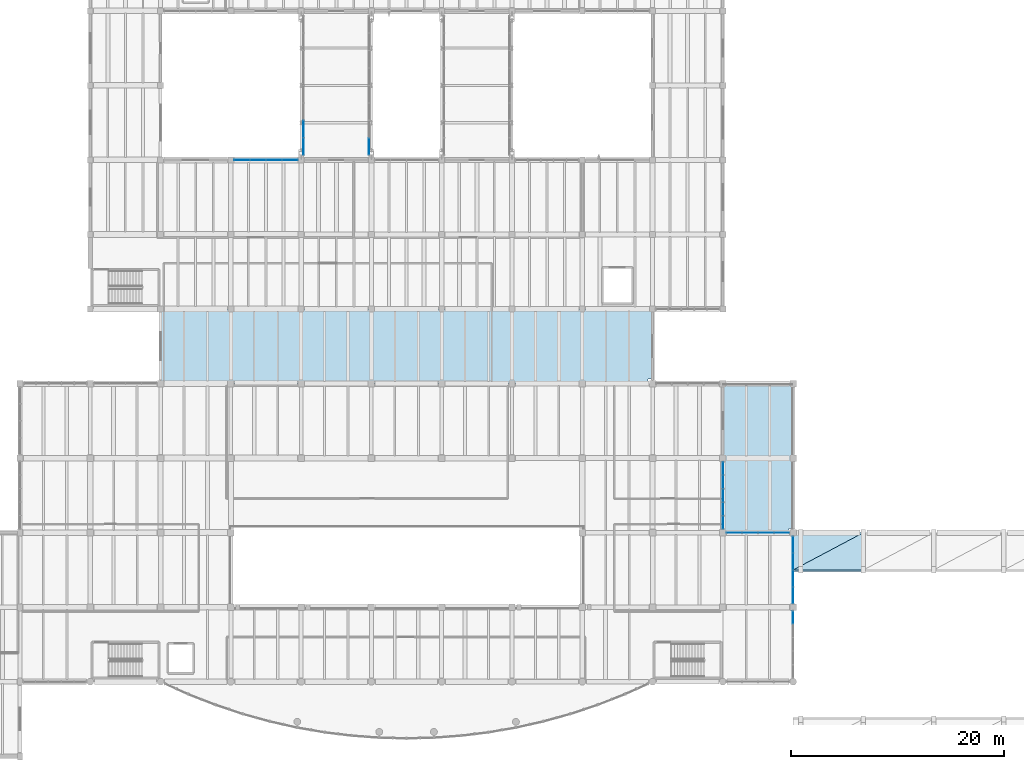
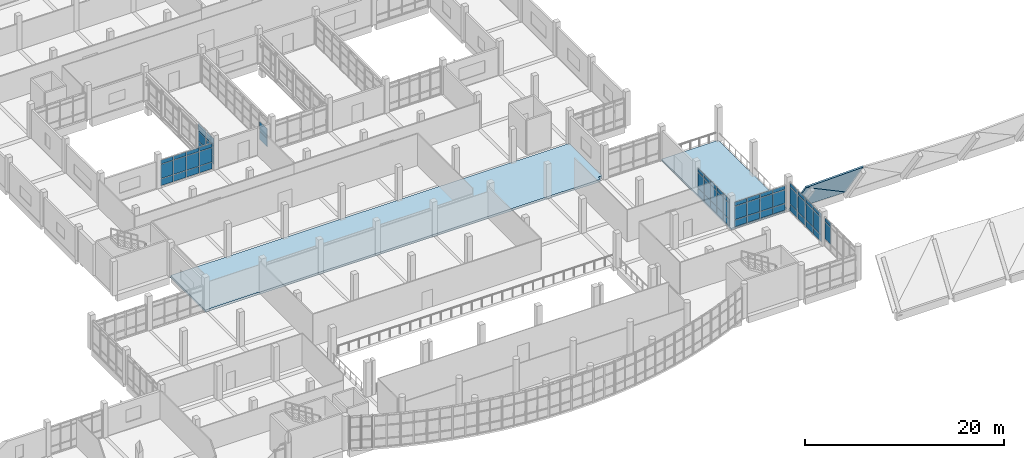
# One storey, part 40 of 67: 61 plates, 4 slabs, 8 elements without a shape of their own.
"""IFC4 building model written with IfcOpenShell, lengths in metres."""

from ifc_helpers import new_model, si_unit, direction, frame, origin, origin_2d, place, context, subcontext, project, spatial, polyline, rectangle, outline, extrude, material, layer, layer_set, type_object, element, aggregate, save


model = new_model("IFC4")

# Units and contexts
model_context = context("Model", 3, precision=1e-05, world=origin(), true_north=direction((0.0, 1.0)))
body_context = subcontext(model_context, "Body", "Model", "MODEL_VIEW")
ifc_project = project(units=[si_unit("LENGTHUNIT", "METRE"), si_unit("AREAUNIT", "SQUARE_METRE"), si_unit("VOLUMEUNIT", "CUBIC_METRE"), si_unit("PLANEANGLEUNIT", "RADIAN"), si_unit("MASSUNIT", "GRAM", prefix="KILO")], contexts=[model_context])

# Site, building, storey
site_placement = place(None, origin())
site = spatial("IfcSite", under=ifc_project, at=site_placement, CompositionType="ELEMENT")
building_placement = place(site_placement, origin())
building = spatial("IfcBuilding", under=site, at=building_placement, Name="Ciguamira Faculty of Natural Sciences", CompositionType="ELEMENT")
storey_placement = place(building_placement, frame((0.0, 0.0, 8.39990234375)))
storey = spatial("IfcBuildingStorey", under=building, at=storey_placement, Name="L02", CompositionType="ELEMENT", Elevation=8.39990234375)

# Curtain wall, plates
ifc_material_1 = material(Name="Anodized aluminium curtain wall", Category="aluminium")
curtain_wall_type_1 = type_object("IfcCurtainWallType", Name="CurtainWall_CW-11", PredefinedType="USERDEFINED", material=ifc_material_1)
curtain_wall_1_placement = place(storey_placement, origin())
curtain_wall_1 = element("IfcCurtainWall", 1, at=curtain_wall_1_placement, inside=storey, type_object=curtain_wall_type_1, Name="L02 unitised curtain wall 0059", ObjectType="UNITISED CURTAIN WALL", PredefinedType="USERDEFINED")
ifc_material_2 = material(Name="Low-E laminated solar glass", Category="glass")
ifc_layer_1 = layer(ifc_material_2, 0.028076171875, Name="Low-E laminated solar glass")
ifc_layer_set_1 = layer_set([ifc_layer_1], Name="Low-E laminated solar glass")
plate_type_1 = type_object("IfcPlateType", Name="CWPanel_CWP-01", PredefinedType="CURTAIN_PANEL", material=ifc_layer_set_1)
plate_1_placement = place(storey_placement, frame((117.767578125, 24.0, 0.070068359375), z_axis=(0.0, 0.0, 1.0), x_axis=(1.0, 0.0, 0.0)))
plate_1 = element("IfcPlate", 2, at=plate_1_placement, type_object=plate_type_1, Name="CW-11 panel 1.1", PredefinedType="CURTAIN_PANEL", context=body_context, shape_type="SweptSolid", body=[
    extrude(rectangle(XDim=1.39501953125, YDim=0.028076171875, at=origin_2d()), origin(), (0.0, 0.0, 1.0), 0.794921875),
])
plate_2_placement = place(storey_placement, frame((117.767578125, 24.0, 0.93505859375), z_axis=(0.0, 0.0, 1.0), x_axis=(1.0, 0.0, 0.0)))
plate_2 = element("IfcPlate", 3, at=plate_2_placement, type_object=plate_type_1, Name="CW-11 panel 1.2", PredefinedType="CURTAIN_PANEL", context=body_context, shape_type="SweptSolid", body=[
    extrude(rectangle(XDim=1.39501953125, YDim=0.028076171875, at=origin_2d()), origin(), (0.0, 0.0, 1.0), 1.614990234375),
])
plate_3_placement = place(storey_placement, frame((117.767578125, 24.0, 2.6201171875), z_axis=(0.0, 0.0, 1.0), x_axis=(1.0, 0.0, 0.0)))
plate_3 = element("IfcPlate", 4, at=plate_3_placement, type_object=plate_type_1, Name="CW-11 panel 1.3", PredefinedType="CURTAIN_PANEL", context=body_context, shape_type="SweptSolid", body=[
    extrude(rectangle(XDim=1.39501953125, YDim=0.028076171875, at=origin_2d()), origin(), (0.0, 0.0, 1.0), 0.445068359375),
])
plate_4_placement = place(storey_placement, frame((119.25, 24.0, 0.070068359375), z_axis=(0.0, 0.0, 1.0), x_axis=(1.0, 0.0, 0.0)))
plate_4 = element("IfcPlate", 5, at=plate_4_placement, type_object=plate_type_1, Name="CW-11 panel 2.1", PredefinedType="CURTAIN_PANEL", context=body_context, shape_type="SweptSolid", body=[
    extrude(rectangle(XDim=1.429931640625, YDim=0.028076171875, at=origin_2d()), origin(), (0.0, 0.0, 1.0), 0.794921875),
])
plate_5_placement = place(storey_placement, frame((119.25, 24.0, 0.93505859375), z_axis=(0.0, 0.0, 1.0), x_axis=(1.0, 0.0, 0.0)))
plate_5 = element("IfcPlate", 6, at=plate_5_placement, type_object=plate_type_1, Name="CW-11 panel 2.2", PredefinedType="CURTAIN_PANEL", context=body_context, shape_type="SweptSolid", body=[
    extrude(rectangle(XDim=1.429931640625, YDim=0.028076171875, at=origin_2d()), origin(), (0.0, 0.0, 1.0), 1.614990234375),
])
plate_6_placement = place(storey_placement, frame((119.25, 24.0, 2.6201171875), z_axis=(0.0, 0.0, 1.0), x_axis=(1.0, 0.0, 0.0)))
plate_6 = element("IfcPlate", 7, at=plate_6_placement, type_object=plate_type_1, Name="CW-11 panel 2.3", PredefinedType="CURTAIN_PANEL", context=body_context, shape_type="SweptSolid", body=[
    extrude(rectangle(XDim=1.429931640625, YDim=0.028076171875, at=origin_2d()), origin(), (0.0, 0.0, 1.0), 0.445068359375),
])
plate_7_placement = place(storey_placement, frame((120.75, 24.0, 0.070068359375), z_axis=(0.0, 0.0, 1.0), x_axis=(1.0, 0.0, 0.0)))
plate_7 = element("IfcPlate", 8, at=plate_7_placement, type_object=plate_type_1, Name="CW-11 panel 3.1", PredefinedType="CURTAIN_PANEL", context=body_context, shape_type="SweptSolid", body=[
    extrude(rectangle(XDim=1.429931640625, YDim=0.028076171875, at=origin_2d()), origin(), (0.0, 0.0, 1.0), 0.794921875),
])
plate_8_placement = place(storey_placement, frame((120.75, 24.0, 0.93505859375), z_axis=(0.0, 0.0, 1.0), x_axis=(1.0, 0.0, 0.0)))
plate_8 = element("IfcPlate", 9, at=plate_8_placement, type_object=plate_type_1, Name="CW-11 panel 3.2", PredefinedType="CURTAIN_PANEL", context=body_context, shape_type="SweptSolid", body=[
    extrude(rectangle(XDim=1.429931640625, YDim=0.028076171875, at=origin_2d()), origin(), (0.0, 0.0, 1.0), 1.614990234375),
])
plate_9_placement = place(storey_placement, frame((120.75, 24.0, 2.6201171875), z_axis=(0.0, 0.0, 1.0), x_axis=(1.0, 0.0, 0.0)))
plate_9 = element("IfcPlate", 10, at=plate_9_placement, type_object=plate_type_1, Name="CW-11 panel 3.3", PredefinedType="CURTAIN_PANEL", context=body_context, shape_type="SweptSolid", body=[
    extrude(rectangle(XDim=1.429931640625, YDim=0.028076171875, at=origin_2d()), origin(), (0.0, 0.0, 1.0), 0.445068359375),
])
plate_10_placement = place(storey_placement, frame((122.232421875, 24.0, 0.070068359375), z_axis=(0.0, 0.0, 1.0), x_axis=(1.0, 0.0, 0.0)))
plate_10 = element("IfcPlate", 11, at=plate_10_placement, type_object=plate_type_1, Name="CW-11 panel 4.1", PredefinedType="CURTAIN_PANEL", context=body_context, shape_type="SweptSolid", body=[
    extrude(rectangle(XDim=1.39501953125, YDim=0.028076171875, at=origin_2d()), origin(), (0.0, 0.0, 1.0), 0.794921875),
])
plate_11_placement = place(storey_placement, frame((122.232421875, 24.0, 0.93505859375), z_axis=(0.0, 0.0, 1.0), x_axis=(1.0, 0.0, 0.0)))
plate_11 = element("IfcPlate", 12, at=plate_11_placement, type_object=plate_type_1, Name="CW-11 panel 4.2", PredefinedType="CURTAIN_PANEL", context=body_context, shape_type="SweptSolid", body=[
    extrude(rectangle(XDim=1.39501953125, YDim=0.028076171875, at=origin_2d()), origin(), (0.0, 0.0, 1.0), 1.614990234375),
])
plate_12_placement = place(storey_placement, frame((122.232421875, 24.0, 2.6201171875), z_axis=(0.0, 0.0, 1.0), x_axis=(1.0, 0.0, 0.0)))
plate_12 = element("IfcPlate", 13, at=plate_12_placement, type_object=plate_type_1, Name="CW-11 panel 4.3", PredefinedType="CURTAIN_PANEL", context=body_context, shape_type="SweptSolid", body=[
    extrude(rectangle(XDim=1.39501953125, YDim=0.028076171875, at=origin_2d()), origin(), (0.0, 0.0, 1.0), 0.445068359375),
])
aggregate(curtain_wall_1, [plate_1, plate_2, plate_3, plate_4, plate_5, plate_6, plate_7, plate_8, plate_9, plate_10, plate_11, plate_12])

curtain_wall_type_2 = type_object("IfcCurtainWallType", Name="CurtainWall_CW-07", PredefinedType="USERDEFINED", material=ifc_material_1)
curtain_wall_2_placement = place(storey_placement, origin())
curtain_wall_2 = element("IfcCurtainWall", 14, at=curtain_wall_2_placement, inside=storey, type_object=curtain_wall_type_2, Name="L02 unitised curtain wall 0079", ObjectType="UNITISED CURTAIN WALL", PredefinedType="USERDEFINED")
plate_13_placement = place(storey_placement, frame((123.300048828125, 16.047607421875, 0.93017578125), z_axis=(0.0, 0.0, 1.0), x_axis=(0.0, 1.0, 0.0)))
plate_13 = element("IfcPlate", 15, at=plate_13_placement, type_object=plate_type_1, Name="CW-07 panel 5.2", PredefinedType="CURTAIN_PANEL", context=body_context, shape_type="SweptSolid", body=[
    extrude(rectangle(XDim=1.18505859375, YDim=0.028076171875, at=origin_2d()), origin(), (0.0, 0.0, 1.0), 2.054931640625),
])
plate_14_placement = place(storey_placement, frame((123.300048828125, 16.047607421875, 3.045166015625), z_axis=(0.0, 0.0, 1.0), x_axis=(0.0, 1.0, 0.0)))
plate_14 = element("IfcPlate", 16, at=plate_14_placement, type_object=plate_type_1, Name="CW-07 panel 5.3", PredefinedType="CURTAIN_PANEL", context=body_context, shape_type="SweptSolid", body=[
    extrude(rectangle(XDim=1.18505859375, YDim=0.028076171875, at=origin_2d()), origin(), (0.0, 0.0, 1.0), 0.4599609375),
])
aggregate(curtain_wall_2, [plate_13, plate_14])

curtain_wall_type_3 = type_object("IfcCurtainWallType", Name="CurtainWall_CW-06", PredefinedType="USERDEFINED", material=ifc_material_1)
curtain_wall_3_placement = place(storey_placement, origin())
curtain_wall_3 = element("IfcCurtainWall", 17, at=curtain_wall_3_placement, inside=storey, type_object=curtain_wall_type_3, Name="Link bridge BR-1 glazed curtain wall W", ObjectType="UNITISED CURTAIN WALL", PredefinedType="USERDEFINED")
plate_15_placement = place(storey_placement, frame((77.320068359375, 60.28369140625, 0.06005859375), z_axis=(0.0, 0.0, 1.0), x_axis=(0.0, 1.0, 0.0)))
plate_15 = element("IfcPlate", 18, at=plate_15_placement, type_object=plate_type_1, Name="CW-06 panel 1.1", PredefinedType="CURTAIN_PANEL", context=body_context, shape_type="SweptSolid", body=[
    extrude(rectangle(XDim=1.547607421875, YDim=0.028076171875, at=origin_2d()), origin(), (0.0, 0.0, 1.0), 1.010009765625),
])
plate_16_placement = place(storey_placement, frame((77.320068359375, 60.28369140625, 1.13037109375), z_axis=(0.0, 0.0, 1.0), x_axis=(0.0, 1.0, 0.0)))
plate_16 = element("IfcPlate", 19, at=plate_16_placement, type_object=plate_type_1, Name="CW-06 panel 1.2", PredefinedType="CURTAIN_PANEL", context=body_context, shape_type="SweptSolid", body=[
    extrude(rectangle(XDim=1.547607421875, YDim=0.028076171875, at=origin_2d()), origin(), (0.0, 0.0, 1.0), 1.139892578125),
])
plate_17_placement = place(storey_placement, frame((77.320068359375, 60.28369140625, 2.330078125), z_axis=(0.0, 0.0, 1.0), x_axis=(0.0, 1.0, 0.0)))
plate_17 = element("IfcPlate", 20, at=plate_17_placement, type_object=plate_type_1, Name="CW-06 panel 1.3", PredefinedType="CURTAIN_PANEL", context=body_context, shape_type="SweptSolid", body=[
    extrude(rectangle(XDim=1.547607421875, YDim=0.028076171875, at=origin_2d()), origin(), (0.0, 0.0, 1.0), 0.860107421875),
])
plate_18_placement = place(storey_placement, frame((77.320068359375, 61.90625, 0.06005859375), z_axis=(0.0, 0.0, 1.0), x_axis=(0.0, 1.0, 0.0)))
plate_18 = element("IfcPlate", 21, at=plate_18_placement, type_object=plate_type_1, Name="CW-06 panel 2.1", PredefinedType="CURTAIN_PANEL", context=body_context, shape_type="SweptSolid", body=[
    extrude(rectangle(XDim=1.577392578125, YDim=0.028076171875, at=origin_2d()), origin(), (0.0, 0.0, 1.0), 1.010009765625),
])
plate_19_placement = place(storey_placement, frame((77.320068359375, 61.90625, 1.13037109375), z_axis=(0.0, 0.0, 1.0), x_axis=(0.0, 1.0, 0.0)))
plate_19 = element("IfcPlate", 22, at=plate_19_placement, type_object=plate_type_1, Name="CW-06 panel 2.2", PredefinedType="CURTAIN_PANEL", context=body_context, shape_type="SweptSolid", body=[
    extrude(rectangle(XDim=1.577392578125, YDim=0.028076171875, at=origin_2d()), origin(), (0.0, 0.0, 1.0), 1.139892578125),
])
plate_20_placement = place(storey_placement, frame((77.320068359375, 61.90625, 2.330078125), z_axis=(0.0, 0.0, 1.0), x_axis=(0.0, 1.0, 0.0)))
plate_20 = element("IfcPlate", 23, at=plate_20_placement, type_object=plate_type_1, Name="CW-06 panel 2.3", PredefinedType="CURTAIN_PANEL", context=body_context, shape_type="SweptSolid", body=[
    extrude(rectangle(XDim=1.577392578125, YDim=0.028076171875, at=origin_2d()), origin(), (0.0, 0.0, 1.0), 0.860107421875),
])
aggregate(curtain_wall_3, [plate_15, plate_16, plate_17, plate_18, plate_19, plate_20])

curtain_wall_4_placement = place(storey_placement, origin())
curtain_wall_4 = element("IfcCurtainWall", 24, at=curtain_wall_4_placement, inside=storey, type_object=curtain_wall_type_2, Name="Link bridge BR-1 glazed curtain wall E", ObjectType="UNITISED CURTAIN WALL", PredefinedType="USERDEFINED")
plate_21_placement = place(storey_placement, frame((83.47998046875, 60.28369140625, 0.06005859375), z_axis=(0.0, 0.0, 1.0), x_axis=(0.0, 1.0, 0.0)))
plate_21 = element("IfcPlate", 25, at=plate_21_placement, type_object=plate_type_1, Name="CW-07 panel 1.1", PredefinedType="CURTAIN_PANEL", context=body_context, shape_type="SweptSolid", body=[
    extrude(rectangle(XDim=1.547607421875, YDim=0.028076171875, at=origin_2d()), origin(), (0.0, 0.0, 1.0), 1.010009765625),
])
plate_22_placement = place(storey_placement, frame((83.47998046875, 60.28369140625, 1.13037109375), z_axis=(0.0, 0.0, 1.0), x_axis=(0.0, 1.0, 0.0)))
plate_22 = element("IfcPlate", 26, at=plate_22_placement, type_object=plate_type_1, Name="CW-07 panel 1.2", PredefinedType="CURTAIN_PANEL", context=body_context, shape_type="SweptSolid", body=[
    extrude(rectangle(XDim=1.547607421875, YDim=0.028076171875, at=origin_2d()), origin(), (0.0, 0.0, 1.0), 1.139892578125),
])
aggregate(curtain_wall_4, [plate_21, plate_22])

curtain_wall_type_4 = type_object("IfcCurtainWallType", Name="CurtainWall_CW-04", PredefinedType="USERDEFINED", material=ifc_material_1)
curtain_wall_5_placement = place(storey_placement, origin())
curtain_wall_5 = element("IfcCurtainWall", 27, at=curtain_wall_5_placement, inside=storey, type_object=curtain_wall_type_4, Name="L02 unitised curtain wall 0064", ObjectType="UNITISED CURTAIN WALL", PredefinedType="USERDEFINED")
ifc_layer_2 = layer(ifc_material_2, 0.035888671875, Name="Low-E laminated solar glass")
ifc_layer_set_2 = layer_set([ifc_layer_2], Name="Low-E laminated solar glass")
plate_type_2 = type_object("IfcPlateType", Name="CWPanel_CWP-02", PredefinedType="CURTAIN_PANEL", material=ifc_layer_set_2)
plate_23_placement = place(storey_placement, frame((71.546142578125, 59.0, 0.06005859375), z_axis=(0.0, 0.0, 1.0), x_axis=(1.0, 0.0, 0.0)))
plate_23 = element("IfcPlate", 28, at=plate_23_placement, type_object=plate_type_2, Name="CW-04 panel 1.1", PredefinedType="CURTAIN_PANEL", context=body_context, shape_type="SweptSolid", body=[
    extrude(rectangle(XDim=1.422607421875, YDim=0.035888671875, at=origin_2d()), origin(), (0.0, 0.0, 1.0), 0.81005859375),
])
plate_24_placement = place(storey_placement, frame((71.546142578125, 59.0, 0.929931640625), z_axis=(0.0, 0.0, 1.0), x_axis=(1.0, 0.0, 0.0)))
plate_24 = element("IfcPlate", 29, at=plate_24_placement, type_object=plate_type_2, Name="CW-04 panel 1.2", PredefinedType="CURTAIN_PANEL", context=body_context, shape_type="SweptSolid", body=[
    extrude(rectangle(XDim=1.422607421875, YDim=0.035888671875, at=origin_2d()), origin(), (0.0, 0.0, 1.0), 1.72509765625),
])
plate_25_placement = place(storey_placement, frame((71.546142578125, 59.0, 2.715087890625), z_axis=(0.0, 0.0, 1.0), x_axis=(1.0, 0.0, 0.0)))
plate_25 = element("IfcPlate", 30, at=plate_25_placement, type_object=plate_type_2, Name="CW-04 panel 1.3", PredefinedType="CURTAIN_PANEL", context=body_context, shape_type="SweptSolid", body=[
    extrude(rectangle(XDim=1.422607421875, YDim=0.035888671875, at=origin_2d()), origin(), (0.0, 0.0, 1.0), 0.4599609375),
])
plate_26_placement = place(storey_placement, frame((73.043701171875, 59.0, 0.06005859375), z_axis=(0.0, 0.0, 1.0), x_axis=(1.0, 0.0, 0.0)))
plate_26 = element("IfcPlate", 31, at=plate_26_placement, type_object=plate_type_2, Name="CW-04 panel 2.1", PredefinedType="CURTAIN_PANEL", context=body_context, shape_type="SweptSolid", body=[
    extrude(rectangle(XDim=1.452392578125, YDim=0.035888671875, at=origin_2d()), origin(), (0.0, 0.0, 1.0), 0.81005859375),
])
plate_27_placement = place(storey_placement, frame((73.043701171875, 59.0, 0.929931640625), z_axis=(0.0, 0.0, 1.0), x_axis=(1.0, 0.0, 0.0)))
plate_27 = element("IfcPlate", 32, at=plate_27_placement, type_object=plate_type_2, Name="CW-04 panel 2.2", PredefinedType="CURTAIN_PANEL", context=body_context, shape_type="SweptSolid", body=[
    extrude(rectangle(XDim=1.452392578125, YDim=0.035888671875, at=origin_2d()), origin(), (0.0, 0.0, 1.0), 1.72509765625),
])
plate_28_placement = place(storey_placement, frame((73.043701171875, 59.0, 2.715087890625), z_axis=(0.0, 0.0, 1.0), x_axis=(1.0, 0.0, 0.0)))
plate_28 = element("IfcPlate", 33, at=plate_28_placement, type_object=plate_type_2, Name="CW-04 panel 2.3", PredefinedType="CURTAIN_PANEL", context=body_context, shape_type="SweptSolid", body=[
    extrude(rectangle(XDim=1.452392578125, YDim=0.035888671875, at=origin_2d()), origin(), (0.0, 0.0, 1.0), 0.4599609375),
])
plate_29_placement = place(storey_placement, frame((74.55615234375, 59.0, 0.06005859375), z_axis=(0.0, 0.0, 1.0), x_axis=(1.0, 0.0, 0.0)))
plate_29 = element("IfcPlate", 34, at=plate_29_placement, type_object=plate_type_2, Name="CW-04 panel 3.1", PredefinedType="CURTAIN_PANEL", context=body_context, shape_type="SweptSolid", body=[
    extrude(rectangle(XDim=1.452392578125, YDim=0.035888671875, at=origin_2d()), origin(), (0.0, 0.0, 1.0), 0.81005859375),
])
plate_30_placement = place(storey_placement, frame((74.55615234375, 59.0, 0.929931640625), z_axis=(0.0, 0.0, 1.0), x_axis=(1.0, 0.0, 0.0)))
plate_30 = element("IfcPlate", 35, at=plate_30_placement, type_object=plate_type_2, Name="CW-04 panel 3.2", PredefinedType="CURTAIN_PANEL", context=body_context, shape_type="SweptSolid", body=[
    extrude(rectangle(XDim=1.452392578125, YDim=0.035888671875, at=origin_2d()), origin(), (0.0, 0.0, 1.0), 1.72509765625),
])
plate_31_placement = place(storey_placement, frame((74.55615234375, 59.0, 2.715087890625), z_axis=(0.0, 0.0, 1.0), x_axis=(1.0, 0.0, 0.0)))
plate_31 = element("IfcPlate", 36, at=plate_31_placement, type_object=plate_type_2, Name="CW-04 panel 3.3", PredefinedType="CURTAIN_PANEL", context=body_context, shape_type="SweptSolid", body=[
    extrude(rectangle(XDim=1.452392578125, YDim=0.035888671875, at=origin_2d()), origin(), (0.0, 0.0, 1.0), 0.4599609375),
])
plate_32_placement = place(storey_placement, frame((76.0537109375, 59.0, 0.06005859375), z_axis=(0.0, 0.0, 1.0), x_axis=(1.0, 0.0, 0.0)))
plate_32 = element("IfcPlate", 37, at=plate_32_placement, type_object=plate_type_2, Name="CW-04 panel 4.1", PredefinedType="CURTAIN_PANEL", context=body_context, shape_type="SweptSolid", body=[
    extrude(rectangle(XDim=1.422607421875, YDim=0.035888671875, at=origin_2d()), origin(), (0.0, 0.0, 1.0), 0.81005859375),
])
plate_33_placement = place(storey_placement, frame((76.0537109375, 59.0, 0.929931640625), z_axis=(0.0, 0.0, 1.0), x_axis=(1.0, 0.0, 0.0)))
plate_33 = element("IfcPlate", 38, at=plate_33_placement, type_object=plate_type_2, Name="CW-04 panel 4.2", PredefinedType="CURTAIN_PANEL", context=body_context, shape_type="SweptSolid", body=[
    extrude(rectangle(XDim=1.422607421875, YDim=0.035888671875, at=origin_2d()), origin(), (0.0, 0.0, 1.0), 1.72509765625),
])
plate_34_placement = place(storey_placement, frame((76.0537109375, 59.0, 2.715087890625), z_axis=(0.0, 0.0, 1.0), x_axis=(1.0, 0.0, 0.0)))
plate_34 = element("IfcPlate", 39, at=plate_34_placement, type_object=plate_type_2, Name="CW-04 panel 4.3", PredefinedType="CURTAIN_PANEL", context=body_context, shape_type="SweptSolid", body=[
    extrude(rectangle(XDim=1.422607421875, YDim=0.035888671875, at=origin_2d()), origin(), (0.0, 0.0, 1.0), 0.4599609375),
])
aggregate(curtain_wall_5, [plate_23, plate_24, plate_25, plate_26, plate_27, plate_28, plate_29, plate_30, plate_31, plate_32, plate_33, plate_34])

curtain_wall_6_placement = place(storey_placement, origin())
curtain_wall_6 = element("IfcCurtainWall", 40, at=curtain_wall_6_placement, inside=storey, type_object=curtain_wall_type_3, Name="L02 unitised curtain wall 0078", ObjectType="UNITISED CURTAIN WALL", PredefinedType="USERDEFINED")
plate_35_placement = place(storey_placement, frame((116.699951171875, 24.9599609375, 0.080078125), z_axis=(0.0, 0.0, 1.0), x_axis=(0.0, 1.0, 0.0)))
plate_35 = element("IfcPlate", 41, at=plate_35_placement, type_object=plate_type_2, Name="CW-06 panel 1.1", PredefinedType="CURTAIN_PANEL", context=body_context, shape_type="SweptSolid", body=[
    extrude(rectangle(XDim=1.159912109375, YDim=0.035888671875, at=origin_2d()), origin(), (0.0, 0.0, 1.0), 0.780029296875),
])
plate_36_placement = place(storey_placement, frame((116.699951171875, 24.9599609375, 0.940185546875), z_axis=(0.0, 0.0, 1.0), x_axis=(0.0, 1.0, 0.0)))
plate_36 = element("IfcPlate", 42, at=plate_36_placement, type_object=plate_type_2, Name="CW-06 panel 1.2", PredefinedType="CURTAIN_PANEL", context=body_context, shape_type="SweptSolid", body=[
    extrude(rectangle(XDim=1.159912109375, YDim=0.035888671875, at=origin_2d()), origin(), (0.0, 0.0, 1.0), 1.875),
])
plate_37_placement = place(storey_placement, frame((116.699951171875, 24.9599609375, 2.89501953125), z_axis=(0.0, 0.0, 1.0), x_axis=(0.0, 1.0, 0.0)))
plate_37 = element("IfcPlate", 43, at=plate_37_placement, type_object=plate_type_2, Name="CW-06 panel 1.3", PredefinedType="CURTAIN_PANEL", context=body_context, shape_type="SweptSolid", body=[
    extrude(rectangle(XDim=1.159912109375, YDim=0.035888671875, at=origin_2d()), origin(), (0.0, 0.0, 1.0), 0.429931640625),
])
plate_38_placement = place(storey_placement, frame((116.699951171875, 26.219970703125, 0.080078125), z_axis=(0.0, 0.0, 1.0), x_axis=(0.0, 1.0, 0.0)))
plate_38 = element("IfcPlate", 44, at=plate_38_placement, type_object=plate_type_2, Name="CW-06 panel 2.1", PredefinedType="CURTAIN_PANEL", context=body_context, shape_type="SweptSolid", body=[
    extrude(rectangle(XDim=1.199951171875, YDim=0.035888671875, at=origin_2d()), origin(), (0.0, 0.0, 1.0), 0.780029296875),
])
plate_39_placement = place(storey_placement, frame((116.699951171875, 26.219970703125, 0.940185546875), z_axis=(0.0, 0.0, 1.0), x_axis=(0.0, 1.0, 0.0)))
plate_39 = element("IfcPlate", 45, at=plate_39_placement, type_object=plate_type_2, Name="CW-06 panel 2.2", PredefinedType="CURTAIN_PANEL", context=body_context, shape_type="SweptSolid", body=[
    extrude(rectangle(XDim=1.199951171875, YDim=0.035888671875, at=origin_2d()), origin(), (0.0, 0.0, 1.0), 1.875),
])
plate_40_placement = place(storey_placement, frame((116.699951171875, 26.219970703125, 2.89501953125), z_axis=(0.0, 0.0, 1.0), x_axis=(0.0, 1.0, 0.0)))
plate_40 = element("IfcPlate", 46, at=plate_40_placement, type_object=plate_type_2, Name="CW-06 panel 2.3", PredefinedType="CURTAIN_PANEL", context=body_context, shape_type="SweptSolid", body=[
    extrude(rectangle(XDim=1.199951171875, YDim=0.035888671875, at=origin_2d()), origin(), (0.0, 0.0, 1.0), 0.429931640625),
])
plate_41_placement = place(storey_placement, frame((116.699951171875, 27.5, 0.080078125), z_axis=(0.0, 0.0, 1.0), x_axis=(0.0, 1.0, 0.0)))
plate_41 = element("IfcPlate", 47, at=plate_41_placement, type_object=plate_type_2, Name="CW-06 panel 3.1", PredefinedType="CURTAIN_PANEL", context=body_context, shape_type="SweptSolid", body=[
    extrude(rectangle(XDim=1.199951171875, YDim=0.035888671875, at=origin_2d()), origin(), (0.0, 0.0, 1.0), 0.780029296875),
])
plate_42_placement = place(storey_placement, frame((116.699951171875, 27.5, 0.940185546875), z_axis=(0.0, 0.0, 1.0), x_axis=(0.0, 1.0, 0.0)))
plate_42 = element("IfcPlate", 48, at=plate_42_placement, type_object=plate_type_2, Name="CW-06 panel 3.2", PredefinedType="CURTAIN_PANEL", context=body_context, shape_type="SweptSolid", body=[
    extrude(rectangle(XDim=1.199951171875, YDim=0.035888671875, at=origin_2d()), origin(), (0.0, 0.0, 1.0), 1.875),
])
plate_43_placement = place(storey_placement, frame((116.699951171875, 27.5, 2.89501953125), z_axis=(0.0, 0.0, 1.0), x_axis=(0.0, 1.0, 0.0)))
plate_43 = element("IfcPlate", 49, at=plate_43_placement, type_object=plate_type_2, Name="CW-06 panel 3.3", PredefinedType="CURTAIN_PANEL", context=body_context, shape_type="SweptSolid", body=[
    extrude(rectangle(XDim=1.199951171875, YDim=0.035888671875, at=origin_2d()), origin(), (0.0, 0.0, 1.0), 0.429931640625),
])
plate_44_placement = place(storey_placement, frame((116.699951171875, 28.780029296875, 0.080078125), z_axis=(0.0, 0.0, 1.0), x_axis=(0.0, 1.0, 0.0)))
plate_44 = element("IfcPlate", 50, at=plate_44_placement, type_object=plate_type_2, Name="CW-06 panel 4.1", PredefinedType="CURTAIN_PANEL", context=body_context, shape_type="SweptSolid", body=[
    extrude(rectangle(XDim=1.199951171875, YDim=0.035888671875, at=origin_2d()), origin(), (0.0, 0.0, 1.0), 0.780029296875),
])
plate_45_placement = place(storey_placement, frame((116.699951171875, 28.780029296875, 0.940185546875), z_axis=(0.0, 0.0, 1.0), x_axis=(0.0, 1.0, 0.0)))
plate_45 = element("IfcPlate", 51, at=plate_45_placement, type_object=plate_type_2, Name="CW-06 panel 4.2", PredefinedType="CURTAIN_PANEL", context=body_context, shape_type="SweptSolid", body=[
    extrude(rectangle(XDim=1.199951171875, YDim=0.035888671875, at=origin_2d()), origin(), (0.0, 0.0, 1.0), 1.875),
])
plate_46_placement = place(storey_placement, frame((116.699951171875, 28.780029296875, 2.89501953125), z_axis=(0.0, 0.0, 1.0), x_axis=(0.0, 1.0, 0.0)))
plate_46 = element("IfcPlate", 52, at=plate_46_placement, type_object=plate_type_2, Name="CW-06 panel 4.3", PredefinedType="CURTAIN_PANEL", context=body_context, shape_type="SweptSolid", body=[
    extrude(rectangle(XDim=1.199951171875, YDim=0.035888671875, at=origin_2d()), origin(), (0.0, 0.0, 1.0), 0.429931640625),
])
plate_47_placement = place(storey_placement, frame((116.699951171875, 30.0400390625, 0.080078125), z_axis=(0.0, 0.0, 1.0), x_axis=(0.0, 1.0, 0.0)))
plate_47 = element("IfcPlate", 53, at=plate_47_placement, type_object=plate_type_2, Name="CW-06 panel 5.1", PredefinedType="CURTAIN_PANEL", context=body_context, shape_type="SweptSolid", body=[
    extrude(rectangle(XDim=1.159912109375, YDim=0.035888671875, at=origin_2d()), origin(), (0.0, 0.0, 1.0), 0.780029296875),
])
plate_48_placement = place(storey_placement, frame((116.699951171875, 30.0400390625, 0.940185546875), z_axis=(0.0, 0.0, 1.0), x_axis=(0.0, 1.0, 0.0)))
plate_48 = element("IfcPlate", 54, at=plate_48_placement, type_object=plate_type_2, Name="CW-06 panel 5.2", PredefinedType="CURTAIN_PANEL", context=body_context, shape_type="SweptSolid", body=[
    extrude(rectangle(XDim=1.159912109375, YDim=0.035888671875, at=origin_2d()), origin(), (0.0, 0.0, 1.0), 1.875),
])
plate_49_placement = place(storey_placement, frame((116.699951171875, 30.0400390625, 2.89501953125), z_axis=(0.0, 0.0, 1.0), x_axis=(0.0, 1.0, 0.0)))
plate_49 = element("IfcPlate", 55, at=plate_49_placement, type_object=plate_type_2, Name="CW-06 panel 5.3", PredefinedType="CURTAIN_PANEL", context=body_context, shape_type="SweptSolid", body=[
    extrude(rectangle(XDim=1.159912109375, YDim=0.035888671875, at=origin_2d()), origin(), (0.0, 0.0, 1.0), 0.429931640625),
])
aggregate(curtain_wall_6, [plate_35, plate_36, plate_37, plate_38, plate_39, plate_40, plate_41, plate_42, plate_43, plate_44, plate_45, plate_46, plate_47, plate_48, plate_49])

curtain_wall_type_5 = type_object("IfcCurtainWallType", Name="CurtainWall_CW-08", PredefinedType="USERDEFINED", material=ifc_material_1)
curtain_wall_7_placement = place(storey_placement, origin())
curtain_wall_7 = element("IfcCurtainWall", 56, at=curtain_wall_7_placement, inside=storey, type_object=curtain_wall_type_5, Name="L02 unitised curtain wall 0080", ObjectType="UNITISED CURTAIN WALL", PredefinedType="USERDEFINED")
plate_50_placement = place(storey_placement, frame((123.300048828125, 18.117431640625, 0.070068359375), z_axis=(0.0, 0.0, 1.0), x_axis=(0.0, 1.0, 0.0)))
plate_50 = element("IfcPlate", 57, at=plate_50_placement, type_object=plate_type_2, Name="CW-08 panel 1.1", PredefinedType="CURTAIN_PANEL", context=body_context, shape_type="SweptSolid", body=[
    extrude(rectangle(XDim=1.4951171875, YDim=0.035888671875, at=origin_2d()), origin(), (0.0, 0.0, 1.0), 0.794921875),
])
plate_51_placement = place(storey_placement, frame((123.300048828125, 18.117431640625, 0.93505859375), z_axis=(0.0, 0.0, 1.0), x_axis=(0.0, 1.0, 0.0)))
plate_51 = element("IfcPlate", 58, at=plate_51_placement, type_object=plate_type_2, Name="CW-08 panel 1.2", PredefinedType="CURTAIN_PANEL", context=body_context, shape_type="SweptSolid", body=[
    extrude(rectangle(XDim=1.4951171875, YDim=0.035888671875, at=origin_2d()), origin(), (0.0, 0.0, 1.0), 2.044921875),
])
plate_52_placement = place(storey_placement, frame((123.300048828125, 18.117431640625, 3.05029296875), z_axis=(0.0, 0.0, 1.0), x_axis=(0.0, 1.0, 0.0)))
plate_52 = element("IfcPlate", 59, at=plate_52_placement, type_object=plate_type_2, Name="CW-08 panel 1.3", PredefinedType="CURTAIN_PANEL", context=body_context, shape_type="SweptSolid", body=[
    extrude(rectangle(XDim=1.4951171875, YDim=0.035888671875, at=origin_2d()), origin(), (0.0, 0.0, 1.0), 0.445068359375),
])
plate_53_placement = place(storey_placement, frame((123.300048828125, 19.699951171875, 0.070068359375), z_axis=(0.0, 0.0, 1.0), x_axis=(0.0, 1.0, 0.0)))
plate_53 = element("IfcPlate", 60, at=plate_53_placement, type_object=plate_type_2, Name="CW-08 panel 2.1", PredefinedType="CURTAIN_PANEL", context=body_context, shape_type="SweptSolid", body=[
    extrude(rectangle(XDim=1.530029296875, YDim=0.035888671875, at=origin_2d()), origin(), (0.0, 0.0, 1.0), 0.794921875),
])
plate_54_placement = place(storey_placement, frame((123.300048828125, 19.699951171875, 0.93505859375), z_axis=(0.0, 0.0, 1.0), x_axis=(0.0, 1.0, 0.0)))
plate_54 = element("IfcPlate", 61, at=plate_54_placement, type_object=plate_type_2, Name="CW-08 panel 2.2", PredefinedType="CURTAIN_PANEL", context=body_context, shape_type="SweptSolid", body=[
    extrude(rectangle(XDim=1.530029296875, YDim=0.035888671875, at=origin_2d()), origin(), (0.0, 0.0, 1.0), 2.044921875),
])
plate_55_placement = place(storey_placement, frame((123.300048828125, 19.699951171875, 3.05029296875), z_axis=(0.0, 0.0, 1.0), x_axis=(0.0, 1.0, 0.0)))
plate_55 = element("IfcPlate", 62, at=plate_55_placement, type_object=plate_type_2, Name="CW-08 panel 2.3", PredefinedType="CURTAIN_PANEL", context=body_context, shape_type="SweptSolid", body=[
    extrude(rectangle(XDim=1.530029296875, YDim=0.035888671875, at=origin_2d()), origin(), (0.0, 0.0, 1.0), 0.445068359375),
])
plate_56_placement = place(storey_placement, frame((123.300048828125, 21.300048828125, 0.070068359375), z_axis=(0.0, 0.0, 1.0), x_axis=(0.0, 1.0, 0.0)))
plate_56 = element("IfcPlate", 63, at=plate_56_placement, type_object=plate_type_2, Name="CW-08 panel 3.1", PredefinedType="CURTAIN_PANEL", context=body_context, shape_type="SweptSolid", body=[
    extrude(rectangle(XDim=1.530029296875, YDim=0.035888671875, at=origin_2d()), origin(), (0.0, 0.0, 1.0), 0.794921875),
])
plate_57_placement = place(storey_placement, frame((123.300048828125, 21.300048828125, 0.93505859375), z_axis=(0.0, 0.0, 1.0), x_axis=(0.0, 1.0, 0.0)))
plate_57 = element("IfcPlate", 64, at=plate_57_placement, type_object=plate_type_2, Name="CW-08 panel 3.2", PredefinedType="CURTAIN_PANEL", context=body_context, shape_type="SweptSolid", body=[
    extrude(rectangle(XDim=1.530029296875, YDim=0.035888671875, at=origin_2d()), origin(), (0.0, 0.0, 1.0), 2.044921875),
])
plate_58_placement = place(storey_placement, frame((123.300048828125, 21.300048828125, 3.05029296875), z_axis=(0.0, 0.0, 1.0), x_axis=(0.0, 1.0, 0.0)))
plate_58 = element("IfcPlate", 65, at=plate_58_placement, type_object=plate_type_2, Name="CW-08 panel 3.3", PredefinedType="CURTAIN_PANEL", context=body_context, shape_type="SweptSolid", body=[
    extrude(rectangle(XDim=1.530029296875, YDim=0.035888671875, at=origin_2d()), origin(), (0.0, 0.0, 1.0), 0.445068359375),
])
plate_59_placement = place(storey_placement, frame((123.300048828125, 22.882568359375, 0.070068359375), z_axis=(0.0, 0.0, 1.0), x_axis=(0.0, 1.0, 0.0)))
plate_59 = element("IfcPlate", 66, at=plate_59_placement, type_object=plate_type_2, Name="CW-08 panel 4.1", PredefinedType="CURTAIN_PANEL", context=body_context, shape_type="SweptSolid", body=[
    extrude(rectangle(XDim=1.4951171875, YDim=0.035888671875, at=origin_2d()), origin(), (0.0, 0.0, 1.0), 0.794921875),
])
plate_60_placement = place(storey_placement, frame((123.300048828125, 22.882568359375, 0.93505859375), z_axis=(0.0, 0.0, 1.0), x_axis=(0.0, 1.0, 0.0)))
plate_60 = element("IfcPlate", 67, at=plate_60_placement, type_object=plate_type_2, Name="CW-08 panel 4.2", PredefinedType="CURTAIN_PANEL", context=body_context, shape_type="SweptSolid", body=[
    extrude(rectangle(XDim=1.4951171875, YDim=0.035888671875, at=origin_2d()), origin(), (0.0, 0.0, 1.0), 2.044921875),
])
plate_61_placement = place(storey_placement, frame((123.300048828125, 22.882568359375, 3.05029296875), z_axis=(0.0, 0.0, 1.0), x_axis=(0.0, 1.0, 0.0)))
plate_61 = element("IfcPlate", 68, at=plate_61_placement, type_object=plate_type_2, Name="CW-08 panel 4.3", PredefinedType="CURTAIN_PANEL", context=body_context, shape_type="SweptSolid", body=[
    extrude(rectangle(XDim=1.4951171875, YDim=0.035888671875, at=origin_2d()), origin(), (0.0, 0.0, 1.0), 0.445068359375),
])
aggregate(curtain_wall_7, [plate_50, plate_51, plate_52, plate_53, plate_54, plate_55, plate_56, plate_57, plate_58, plate_59, plate_60, plate_61])

# Slab
ifc_material_3 = material(Name="Concrete C40/50", Category="concrete")
ifc_layer_3 = layer(ifc_material_3, 0.280029296875, Name="Concrete C40/50")
ifc_layer_set_3 = layer_set([ifc_layer_3], Name="Concrete C40/50")
slab_type_1 = type_object("IfcSlabType", Name="Slab_SF-03_280", PredefinedType="FLOOR", material=ifc_layer_set_3)
slab_1_placement = place(storey_placement, frame((0.0, 0.0, -0.27978515625)))
element("IfcSlab", 69, at=slab_1_placement, inside=storey, type_object=slab_type_1, Name="L02 V4C structural slab", PredefinedType="FLOOR", context=body_context, shape_type="SweptSolid", body=[
    extrude(outline(polyline([(63.89990234375, 38.0), (109.64990234375, 38.0), (109.64990234375, 38.449951171875), (110.10009765625, 38.449951171875), (110.10009765625, 45.0), (63.89990234375, 45.0), (63.89990234375, 38.0)])), origin(), (0.0, 0.0, 1.0), 0.27978515625),
])

# Roof, slabs
roof_type = type_object("IfcRoofType", Name="RoofSys_RF-SHL", PredefinedType="FREEFORM", material=ifc_material_3)
roof_placement = place(storey_placement, origin())
roof = element("IfcRoof", 70, at=roof_placement, inside=storey, type_object=roof_type, Name="Lecture Theatres Thin Concrete Shell Roof", PredefinedType="FREEFORM")
ifc_layer_4 = layer(ifc_material_3, 0.159912109375, Name="Concrete C40/50")
ifc_layer_set_4 = layer_set([ifc_layer_4], Name="Concrete C40/50")
slab_type_2 = type_object("IfcSlabType", Name="Slab_SR-02_160", PredefinedType="ROOF", material=ifc_layer_set_4)
slab_2_placement = place(storey_placement, frame((123.300048828125, 20.5, 4.994873046875), z_axis=(-0.015696499858, 0.828483461479, 0.559793510098), x_axis=(0.999607116376, 0.0, 0.028028786824)))
slab_2 = element("IfcSlab", 71, at=slab_2_placement, type_object=slab_type_2, Name="V1 thin concrete shell facet 01-06-T1", PredefinedType="ROOF", context=body_context, shape_type="SweptSolid", body=[
    extrude(outline(polyline([(0.0, 0.0), (6.602447509130868, 0.0), (6.457260309412959, 6.24984899646272), (0.0, 0.0)])), origin(), (0.0, 0.0, -1.0), 0.159912109375),
])
slab_3_placement = place(storey_placement, frame((123.300048828125, 20.5, 4.994873046875), z_axis=(0.0, 0.818955382747, 0.573857195711), x_axis=(0.734420318035, 0.38947396439, -0.555820859198)))
slab_3 = element("IfcSlab", 72, at=slab_3_placement, type_object=slab_type_2, Name="V1 thin concrete shell facet 01-06-T2", PredefinedType="ROOF", context=body_context, shape_type="SweptSolid", body=[
    extrude(outline(polyline([(0.0, 0.0), (8.986480021794186, 4.440892098500626e-16), (4.139413503861713, 4.479287063634753), (0.0, 0.0)])), origin(), (0.0, 0.0, -1.0), 0.159912109375),
])
aggregate(roof, [slab_2, slab_3])

# Slab
ifc_layer_5 = layer(ifc_material_3, 0.199951171875, Name="Concrete C40/50")
ifc_layer_set_5 = layer_set([ifc_layer_5], Name="Concrete C40/50")
slab_type_3 = type_object("IfcSlabType", Name="Slab_ST-01_200", PredefinedType="FLOOR", material=ifc_layer_set_5)
slab_4_placement = place(storey_placement, frame((0.0, 0.0, -0.199951171875)))
element("IfcSlab", 73, at=slab_4_placement, inside=storey, type_object=slab_type_3, Name="L02 East Escarpment Observation Terrace", PredefinedType="FLOOR", context=body_context, shape_type="SweptSolid", body=[
    extrude(outline(polyline([(116.699951171875, 24.0), (122.89990234375, 24.0), (122.89990234375, 24.39990234375), (123.300048828125, 24.39990234375), (123.300048828125, 38.0), (116.699951171875, 38.0), (116.699951171875, 24.0)])), origin(), (0.0, 0.0, 1.0), 0.199951171875),
])

save(model, "model.ifc")
